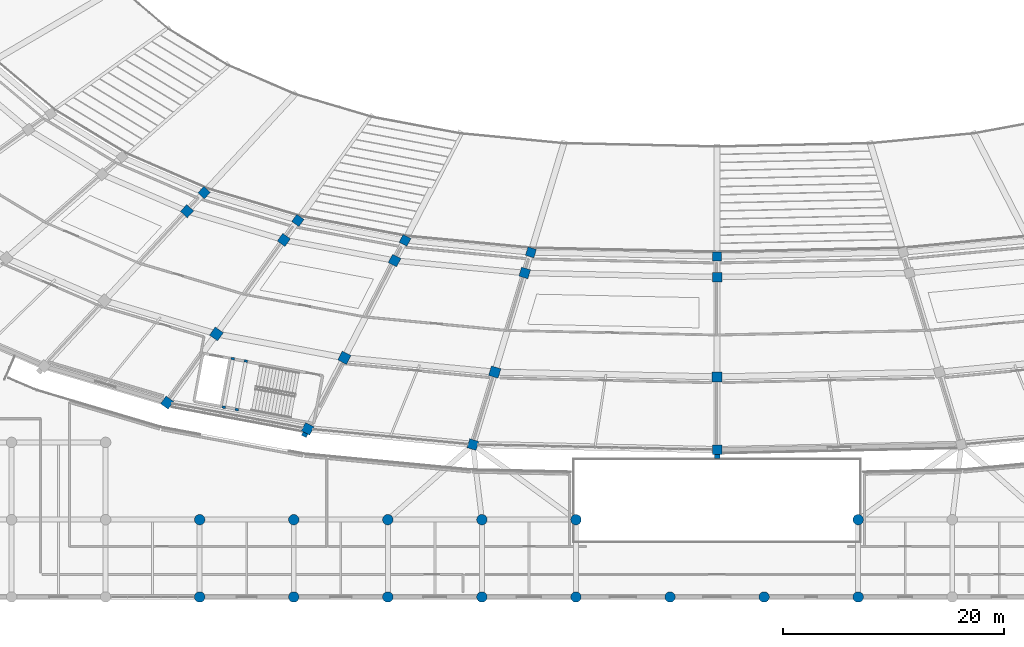
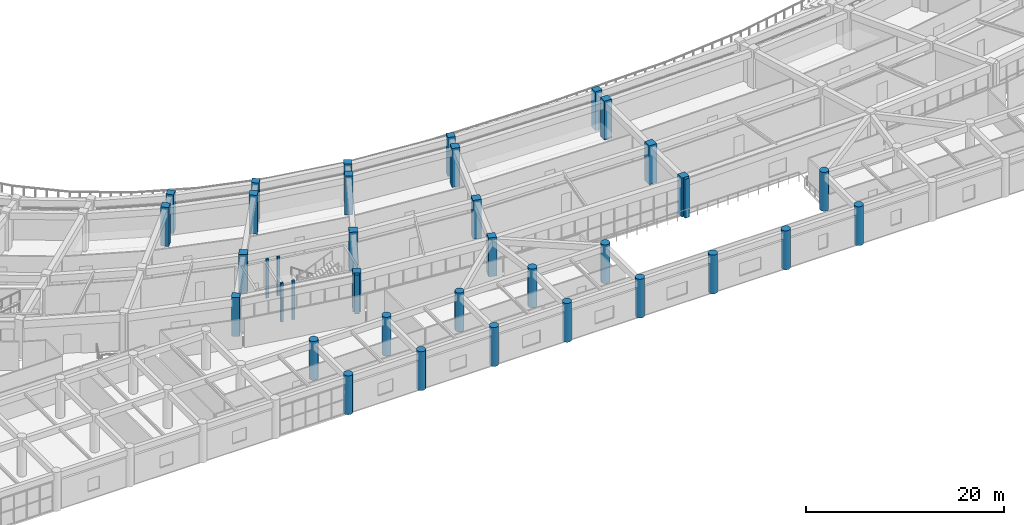
# One storey, part 2 of 152: 38 columns.
"""IFC4 building model written with IfcOpenShell, lengths in metres."""

from ifc_helpers import new_model, si_unit, direction, frame, origin, origin_2d, place, context, subcontext, project, spatial, rectangle, circle, extrude, material, material_profile, profile_set, type_object, element, save


model = new_model("IFC4")

# Units and contexts
model_context = context("Model", 3, precision=1e-05, world=origin(), true_north=direction((0.0, 1.0)))
body_context = subcontext(model_context, "Body", "Model", "MODEL_VIEW")
ifc_project = project(units=[si_unit("LENGTHUNIT", "METRE"), si_unit("AREAUNIT", "SQUARE_METRE"), si_unit("VOLUMEUNIT", "CUBIC_METRE"), si_unit("PLANEANGLEUNIT", "RADIAN"), si_unit("MASSUNIT", "GRAM", prefix="KILO")], contexts=[model_context])

# Site, building, storey
site_placement = place(None, origin())
site = spatial("IfcSite", under=ifc_project, at=site_placement, CompositionType="ELEMENT")
building_placement = place(site_placement, origin())
building = spatial("IfcBuilding", under=site, at=building_placement, Name="Mphavela Belvedere Stadium", CompositionType="ELEMENT")
storey_placement = place(building_placement, frame((0.0, 0.0, 5.39990234375)))
storey = spatial("IfcBuildingStorey", under=building, at=storey_placement, Name="L01", CompositionType="ELEMENT", Elevation=5.39990234375)

# Columns
ifc_material_1 = material(Name="Concrete C40/50", Category="concrete")
ifc_material_profile_1 = material_profile(ifc_material_1, rectangle(XDim=0.300048828125, YDim=0.219970703125, at=origin_2d()), Name="RC 300x220")
ifc_profile_set_1 = profile_set([ifc_material_profile_1], Name="Concrete C40/50")
column_type_1 = type_object("IfcColumnType", Name="COL-CORE-POST-300", PredefinedType="COLUMN", material=ifc_profile_set_1)
for number, where, z_axis, x_axis, name in (
    (1, (72.329833984375, 21.36865234375, 0.0), (0.0, 0.0, 1.0), (-0.983095502692, 0.183093507769, 0.0), "Core C11 stair frame column L01-1"),
    (2, (71.150146484375, 21.58837890625, 0.0), (0.0, 0.0, 1.0), (-0.983095502692, 0.183093507769, 0.0), "Core C11 stair frame column L01-2"),
    (3, (70.331787109375, 17.19384765625, 0.0), (0.0, 0.0, 1.0), (-0.983095502692, 0.183093507769, 0.0), "Core C11 stair frame column L01-3"),
    (4, (71.511474609375, 16.97412109375, 0.0), (0.0, 0.0, 1.0), (-0.983095502692, 0.183093507769, 0.0), "Core C11 stair frame column L01-4"),
):
    element("IfcColumn", number, at=place(storey_placement, frame(where, z_axis=z_axis, x_axis=x_axis)), inside=storey, type_object=column_type_1, Name=name, PredefinedType="COLUMN", context=body_context, shape_type="SweptSolid", body=[
        extrude(rectangle(XDim=0.300048828125, YDim=0.219970703125, at=origin_2d()), origin(), (0.0, 0.0, 1.0), 4.800048828125),
    ])
ifc_material_2 = material(Name="Concrete C40/50", Category="concrete")
ifc_material_profile_2 = material_profile(ifc_material_2, circle(Radius=0.47509765625, at=origin_2d()), Name="COL D950")
ifc_profile_set_2 = profile_set([ifc_material_profile_2], Name="Concrete C40/50")
column_type_2 = type_object("IfcColumnType", Name="COL-DORIC-950", PredefinedType="COLUMN", material=ifc_profile_set_2)
for number, where, z_axis, x_axis, name in (
    (5, (68.14794921875, 0.0, 0.0), (0.0, 0.0, 1.0), (1.0, 0.0, 0.0), "South Axial Triumphal Peristyle Portico classical column L01 9-1"),
    (6, (68.14794921875, 7.0, 0.0), (0.0, 0.0, 1.0), (1.0, 0.0, 0.0), "South Axial Triumphal Peristyle Portico classical column L01 9-2"),
    (7, (76.6669921875, 0.0, 0.0), (0.0, 0.0, 1.0), (1.0, 0.0, 0.0), "South Axial Triumphal Peristyle Portico classical column L01 10-1"),
    (8, (76.6669921875, 7.0, 0.0), (0.0, 0.0, 1.0), (1.0, 0.0, 0.0), "South Axial Triumphal Peristyle Portico classical column L01 10-2"),
    (9, (85.18505859375, 0.0, 0.0), (0.0, 0.0, 1.0), (1.0, 0.0, 0.0), "South Axial Triumphal Peristyle Portico classical column L01 11-1"),
    (10, (85.18505859375, 7.0, 0.0), (0.0, 0.0, 1.0), (1.0, 0.0, 0.0), "South Axial Triumphal Peristyle Portico classical column L01 11-2"),
    (11, (93.7041015625, 0.0, 0.0), (0.0, 0.0, 1.0), (1.0, 0.0, 0.0), "South Axial Triumphal Peristyle Portico classical column L01 12-1"),
    (12, (93.7041015625, 7.0, 0.0), (0.0, 0.0, 1.0), (1.0, 0.0, 0.0), "South Axial Triumphal Peristyle Portico classical column L01 12-2"),
    (13, (102.221923828125, 0.0, 0.0), (0.0, 0.0, 1.0), (1.0, 0.0, 0.0), "South Axial Triumphal Peristyle Portico classical column L01 13-1"),
    (14, (102.221923828125, 7.0, 0.0), (0.0, 0.0, 1.0), (1.0, 0.0, 0.0), "South Axial Triumphal Peristyle Portico classical column L01 13-2"),
    (15, (110.740966796875, 0.0, 0.0), (0.0, 0.0, 1.0), (1.0, 0.0, 0.0), "South Axial Triumphal Peristyle Portico classical column L01 14-1"),
    (16, (119.259033203125, 0.0, 0.0), (0.0, 0.0, 1.0), (1.0, 0.0, 0.0), "South Axial Triumphal Peristyle Portico classical column L01 15-1"),
    (17, (127.778076171875, 0.0, 0.0), (0.0, 0.0, 1.0), (1.0, 0.0, 0.0), "South Axial Triumphal Peristyle Portico classical column L01 16-1"),
    (18, (127.778076171875, 7.0, 0.0), (0.0, 0.0, 1.0), (1.0, 0.0, 0.0), "South Axial Triumphal Peristyle Portico classical column L01 16-2"),
):
    element("IfcColumn", number, at=place(storey_placement, frame(where, z_axis=z_axis, x_axis=x_axis)), inside=storey, type_object=column_type_2, Name=name, PredefinedType="COLUMN", context=body_context, shape_type="SweptSolid", body=[
        extrude(circle(Radius=0.47509765625, at=origin_2d()), origin(), (0.0, 0.0, 1.0), 4.800048828125),
    ])
ifc_material_3 = material(Name="Concrete C40/50", Category="concrete")
ifc_material_profile_3 = material_profile(ifc_material_3, rectangle(XDim=0.800048828125, YDim=0.800048828125, at=origin_2d()), Name="RC 800x800")
ifc_profile_set_3 = profile_set([ifc_material_profile_3], Name="Concrete C40/50")
column_type_3 = type_object("IfcColumnType", Name="COL-RC800", PredefinedType="COLUMN", material=ifc_profile_set_3)
for number, where, z_axis, x_axis, name in (
    (19, (68.549560546875, 36.62109375, 0.0), (0.0, 0.0, 1.0), (-0.677903094969, -0.735151272753, 0.0), "Inner concourse column L01 R1-33"),
    (20, (77.038330078125, 34.101318359375, 0.0), (0.0, 0.0, 1.0), (-0.582974127943, -0.812490717577, 0.0), "Inner concourse column L01 R1-34"),
    (21, (86.74072265625, 32.294189453125, 0.0), (0.0, 0.0, 1.0), (-0.458959712465, -0.888457079624, 0.0), "Inner concourse column L01 R1-35"),
    (22, (98.142822265625, 31.20703125, 0.0), (0.0, 0.0, 1.0), (-0.289198876314, -0.957269037387, 0.0), "Inner concourse column L01 R1-36"),
    (23, (115.0, 30.843994140625, 0.0), (0.0, 0.0, 1.0), (0.0, -1.0, 0.0), "Inner concourse column L01 R1-37"),
):
    element("IfcColumn", number, at=place(storey_placement, frame(where, z_axis=z_axis, x_axis=x_axis)), inside=storey, type_object=column_type_3, Name=name, PredefinedType="COLUMN", context=body_context, shape_type="SweptSolid", body=[
        extrude(rectangle(XDim=0.800048828125, YDim=0.800048828125, at=origin_2d()), origin(), (0.0, 0.0, 1.0), 4.800048828125),
    ])
ifc_material_4 = material(Name="Concrete C40/50", Category="concrete")
ifc_material_profile_4 = material_profile(ifc_material_4, rectangle(XDim=0.85009765625, YDim=0.85009765625, at=origin_2d()), Name="RC 850x850")
ifc_profile_set_4 = profile_set([ifc_material_profile_4], Name="Concrete C40/50")
column_type_4 = type_object("IfcColumnType", Name="COL-RC850", PredefinedType="COLUMN", material=ifc_profile_set_4)
for number, where, z_axis, x_axis, name in (
    (24, (66.997314453125, 34.9375, 0.0), (0.0, 0.0, 1.0), (-0.677903094969, -0.735151272753, 0.0), "Middle concourse column L01 R2-33"),
    (25, (75.769775390625, 32.33349609375, 0.0), (0.0, 0.0, 1.0), (-0.582974127943, -0.812490717577, 0.0), "Middle concourse column L01 R2-34"),
    (26, (65.19873046875, 17.60302734375, 0.0), (0.0, 0.0, 1.0), (-0.582974127943, -0.812490717577, 0.0), "Outer colonnade column L01 R4-34"),
    (27, (85.79638671875, 30.46630859375, 0.0), (0.0, 0.0, 1.0), (-0.458959712465, -0.888457079624, 0.0), "Middle concourse column L01 R2-35"),
    (28, (77.92724609375, 15.232666015625, 0.0), (0.0, 0.0, 1.0), (-0.458959712465, -0.888457079624, 0.0), "Outer colonnade column L01 R4-35"),
    (29, (97.57958984375, 29.342529296875, 0.0), (0.0, 0.0, 1.0), (-0.289198876314, -0.957269037387, 0.0), "Middle concourse column L01 R2-36"),
    (30, (92.885498046875, 13.80615234375, 0.0), (0.0, 0.0, 1.0), (-0.289198876314, -0.957269037387, 0.0), "Outer colonnade column L01 R4-36"),
    (31, (115.0, 28.967529296875, 0.0), (0.0, 0.0, 1.0), (0.0, -1.0, 0.0), "Middle concourse column L01 R2-37"),
    (32, (115.0, 13.330078125, 0.0), (0.0, 0.0, 1.0), (0.0, -1.0, 0.0), "Outer colonnade column L01 R4-37"),
):
    element("IfcColumn", number, at=place(storey_placement, frame(where, z_axis=z_axis, x_axis=x_axis)), inside=storey, type_object=column_type_4, Name=name, PredefinedType="COLUMN", context=body_context, shape_type="SweptSolid", body=[
        extrude(rectangle(XDim=0.85009765625, YDim=0.85009765625, at=origin_2d()), origin(), (0.0, 0.0, 1.0), 4.800048828125),
    ])
ifc_material_5 = material(Name="Concrete C40/50", Category="concrete")
ifc_material_profile_5 = material_profile(ifc_material_5, rectangle(XDim=0.89990234375, YDim=0.89990234375, at=origin_2d()), Name="RC 900x900")
ifc_profile_set_5 = profile_set([ifc_material_profile_5], Name="Concrete C40/50")
column_type_5 = type_object("IfcColumnType", Name="COL-RC900", PredefinedType="COLUMN", material=ifc_profile_set_5)
for number, where, z_axis, x_axis, name in (
    (33, (69.662109375, 23.822509765625, 0.0), (0.0, 0.0, 1.0), (-0.582974127943, -0.812490717577, 0.0), "Main bowl column L01 R3-34"),
    (34, (81.249755859375, 21.66455078125, 0.0), (0.0, 0.0, 1.0), (-0.458959712465, -0.888457079624, 0.0), "Main bowl column L01 R3-35"),
    (35, (94.8671875, 20.365966796875, 0.0), (0.0, 0.0, 1.0), (-0.289198876314, -0.957269037387, 0.0), "Main bowl column L01 R3-36"),
    (36, (115.0, 19.9326171875, 0.0), (0.0, 0.0, 1.0), (0.0, -1.0, 0.0), "Main bowl column L01 R3-37"),
):
    element("IfcColumn", number, at=place(storey_placement, frame(where, z_axis=z_axis, x_axis=x_axis)), inside=storey, type_object=column_type_5, Name=name, PredefinedType="COLUMN", context=body_context, shape_type="SweptSolid", body=[
        extrude(rectangle(XDim=0.89990234375, YDim=0.89990234375, at=origin_2d()), origin(), (0.0, 0.0, 1.0), 4.800048828125),
    ])
ifc_material_6 = material(Name="Concrete C40/50", Category="concrete")
ifc_material_profile_6 = material_profile(ifc_material_6, rectangle(XDim=0.5, YDim=0.35009765625, at=origin_2d()), Name="PIL 500x350")
ifc_profile_set_6 = profile_set([ifc_material_profile_6], Name="Concrete C40/50")
column_type_6 = type_object("IfcColumnType", Name="PIL-FLUTED-500", PredefinedType="PILASTER", material=ifc_profile_set_6)
for number, where, z_axis, x_axis, name in (
    (37, (77.650390625, 14.697021484375, 0.0), (0.0, 0.0, 1.0), (0.888457079624, -0.458959712465, 0.0), "Fluted classical pilaster L01-35"),
    (38, (115.0, 12.72705078125, 0.0), (0.0, 0.0, 1.0), (1.0, 0.0, 0.0), "Fluted classical pilaster L01-37"),
):
    element("IfcColumn", number, at=place(storey_placement, frame(where, z_axis=z_axis, x_axis=x_axis)), inside=storey, type_object=column_type_6, Name=name, PredefinedType="PILASTER", context=body_context, shape_type="SweptSolid", body=[
        extrude(rectangle(XDim=0.5, YDim=0.35009765625, at=origin_2d()), origin(), (0.0, 0.0, 1.0), 4.800048828125),
    ])

save(model, "model.ifc")
